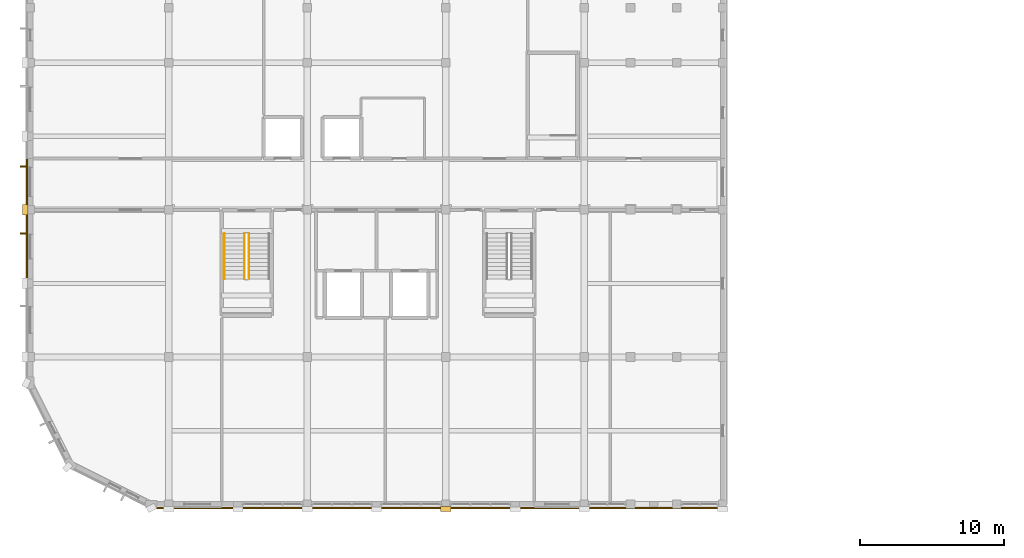
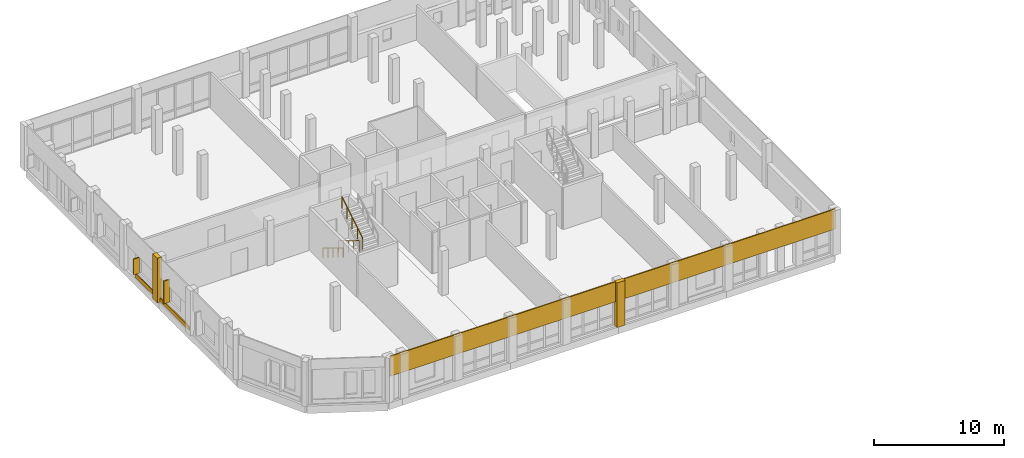
# One storey, part 87 of 93: 5 coverings, 3 railings, 2 shading devices.
"""IFC4 building model written with IfcOpenShell, lengths in metres."""

from ifc_helpers import new_model, si_unit, direction, frame, origin, origin_2d, place, context, subcontext, project, spatial, rectangle, circle, extrude, material, layer, layer_set, type_object, element, save


model = new_model("IFC4")

# Units and contexts
model_context = context("Model", 3, precision=1e-05, world=origin(), true_north=direction((0.0, 1.0)))
body_context = subcontext(model_context, "Body", "Model", "MODEL_VIEW")
ifc_project = project(units=[si_unit("LENGTHUNIT", "METRE"), si_unit("AREAUNIT", "SQUARE_METRE"), si_unit("VOLUMEUNIT", "CUBIC_METRE"), si_unit("PLANEANGLEUNIT", "RADIAN"), si_unit("MASSUNIT", "GRAM", prefix="KILO")], contexts=[model_context])

# Site, building, storey
site_placement = place(None, origin())
site = spatial("IfcSite", under=ifc_project, at=site_placement, CompositionType="ELEMENT")
building_placement = place(site_placement, origin())
building = spatial("IfcBuilding", under=site, at=building_placement, Name="Vondelvale Polytechnic", CompositionType="ELEMENT")
storey_placement = place(building_placement, frame((0.0, 0.0, 18.0)))
storey = spatial("IfcBuildingStorey", under=building, at=storey_placement, Name="L04", CompositionType="ELEMENT", Elevation=18.0)

# Coverings
ifc_material_1 = material(Name="Amsterdam School iron-spot clinker clay brickwork", Category="masonry")
ifc_layer_1 = layer(ifc_material_1, 0.090087890625)
ifc_layer_set_1 = layer_set([ifc_layer_1], Name="COV-BRICK-RELIEF")
covering_type = type_object("IfcCoveringType", Name="COV-BRICK-RELIEF", PredefinedType="CLADDING", material=ifc_layer_set_1)
covering_1_placement = place(storey_placement, frame((28.199951171875, -0.264892578125, 2.320068359375), z_axis=(0.0, 0.0, 1.0), x_axis=(1.0, 0.0, 0.0)))
element("IfcCovering", 1, at=covering_1_placement, inside=storey, type_object=covering_type, Name="L04 exterior masonry spandrel band", PredefinedType="CLADDING", context=body_context, shape_type="SweptSolid", body=[
    extrude(rectangle(XDim=39.60009765625, YDim=0.090087890625, at=origin_2d()), origin(), (0.0, 0.0, 1.0), 1.8798828125),
])
covering_2_placement = place(storey_placement, frame((-0.216064453125, 17.85009765625, 0.0), z_axis=(0.0, 0.0, 1.0), x_axis=(0.0, 1.0, 0.0)))
element("IfcCovering", 2, at=covering_2_placement, inside=storey, type_object=covering_type, Name="L04 exterior corbelled masonry relief band", PredefinedType="CLADDING", context=body_context, shape_type="SweptSolid", body=[
    extrude(rectangle(XDim=4.43798828125, YDim=0.090087890625, at=origin_2d()), origin(), (0.0, 0.0, 1.0), 0.3798828125),
])
covering_3_placement = place(storey_placement, frame((-0.216064453125, 22.325439453125, 0.0), z_axis=(0.0, 0.0, 1.0), x_axis=(0.0, 1.0, 0.0)))
element("IfcCovering", 3, at=covering_3_placement, inside=storey, type_object=covering_type, Name="L04 exterior corbelled masonry relief band", PredefinedType="CLADDING", context=body_context, shape_type="SweptSolid", body=[
    extrude(rectangle(XDim=3.18896484375, YDim=0.090087890625, at=origin_2d()), origin(), (0.0, 0.0, 1.0), 0.3798828125),
])
covering_4_placement = place(storey_placement, frame((28.800048828125, -0.340087890625, 0.0), z_axis=(0.0, 0.0, 1.0), x_axis=(1.0, 0.0, 0.0)))
element("IfcCovering", 4, at=covering_4_placement, inside=storey, type_object=covering_type, Name="L04 Classical street pilaster", PredefinedType="CLADDING", context=body_context, shape_type="SweptSolid", body=[
    extrude(rectangle(XDim=0.719970703125, YDim=0.360107421875, at=origin_2d()), origin(), (0.0, 0.0, 1.0), 4.199951171875),
])
covering_5_placement = place(storey_placement, frame((-0.340087890625, 20.39990234375, 0.0), z_axis=(0.0, 0.0, 1.0), x_axis=(1.0, 0.0, 0.0)))
element("IfcCovering", 5, at=covering_5_placement, inside=storey, type_object=covering_type, Name="L04 Classical street pilaster", PredefinedType="CLADDING", context=body_context, shape_type="SweptSolid", body=[
    extrude(rectangle(XDim=0.360107421875, YDim=0.719970703125, at=origin_2d()), origin(), (0.0, 0.0, 1.0), 4.199951171875),
])

# Railings
ifc_material_2 = material(Name="Brushed architectural stainless and zinc-coated metal")
ifc_layer_2 = layer(ifc_material_2, 0.050048828125)
ifc_layer_set_2 = layer_set([ifc_layer_2], Name="RL-STAIR-GUARD")
railing_type_1 = type_object("IfcRailingType", Name="RL-STAIR-GUARD", PredefinedType="GUARDRAIL", material=ifc_layer_set_2)
railing_1_placement = place(storey_placement, frame((14.85009765625, 18.75, 0.175048828125)))
element("IfcRailing", 6, at=railing_1_placement, inside=storey, type_object=railing_type_1, Name="L04 ST-03 stair guard 1", PredefinedType="GUARDRAIL", context=body_context, shape_type="SweptSolid", body=[
    extrude(circle(Radius=0.02392578125, at=origin_2d()), frame((0.0, 0.0, 1.076171875), z_axis=(0.0, -0.852166034122, 0.523271488128), x_axis=(1.0, 0.0, 0.0)), (0.0, 0.0, 1.0), 3.678955078125),
    extrude(circle(Radius=0.02099609375, at=origin_2d()), origin(), (0.0, 0.0, 1.0), 1.052001953125),
    extrude(circle(Radius=0.02099609375, at=origin_2d()), frame((0.0, -0.78369140625, 0.481201171875)), (0.0, 0.0, 1.0), 1.052001953125),
    extrude(circle(Radius=0.02099609375, at=origin_2d()), frame((0.0, -1.5673828125, 0.96240234375)), (0.0, 0.0, 1.0), 1.052001953125),
    extrude(circle(Radius=0.02099609375, at=origin_2d()), frame((0.0, -2.351318359375, 1.44384765625)), (0.0, 0.0, 1.0), 1.052001953125),
    extrude(circle(Radius=0.02099609375, at=origin_2d()), frame((0.0, -3.135009765625, 1.925048828125)), (0.0, 0.0, 1.0), 1.052001953125),
])
railing_2_placement = place(storey_placement, frame((15.14990234375, 15.614990234375, 2.27490234375)))
element("IfcRailing", 7, at=railing_2_placement, inside=storey, type_object=railing_type_1, Name="L04 ST-03 stair guard 3", PredefinedType="GUARDRAIL", context=body_context, shape_type="SweptSolid", body=[
    extrude(circle(Radius=0.02392578125, at=origin_2d()), frame((0.0, 0.0, 1.076171875), z_axis=(0.0, 0.852166034122, 0.523271488128), x_axis=(-1.0, 0.0, 0.0)), (0.0, 0.0, 1.0), 3.678955078125),
    extrude(circle(Radius=0.02099609375, at=origin_2d()), origin(), (0.0, 0.0, 1.0), 1.052001953125),
    extrude(circle(Radius=0.02099609375, at=origin_2d()), frame((0.0, 0.78369140625, 0.481201171875)), (0.0, 0.0, 1.0), 1.052001953125),
    extrude(circle(Radius=0.02099609375, at=origin_2d()), frame((0.0, 1.5673828125, 0.96240234375)), (0.0, 0.0, 1.0), 1.052001953125),
    extrude(circle(Radius=0.02099609375, at=origin_2d()), frame((0.0, 2.351318359375, 1.44384765625)), (0.0, 0.0, 1.0), 1.052001953125),
    extrude(circle(Radius=0.02099609375, at=origin_2d()), frame((0.0, 3.135009765625, 1.925048828125)), (0.0, 0.0, 1.0), 1.052001953125),
])
ifc_layer_3 = layer(ifc_material_2, 0.048095703125)
ifc_layer_set_3 = layer_set([ifc_layer_3], Name="RL-STAIR-HANDRAIL")
railing_type_2 = type_object("IfcRailingType", Name="RL-STAIR-HANDRAIL", PredefinedType="HANDRAIL", material=ifc_layer_set_3)
railing_3_placement = place(storey_placement, frame((13.449951171875, 18.75, 0.175048828125)))
element("IfcRailing", 8, at=railing_3_placement, inside=storey, type_object=railing_type_2, Name="L04 ST-03 stair handrail 1", PredefinedType="HANDRAIL", context=body_context, shape_type="SweptSolid", body=[
    extrude(circle(Radius=0.02392578125, at=origin_2d()), frame((0.0, 0.0, 0.8759765625), z_axis=(0.0, -0.852166034122, 0.523271488128), x_axis=(1.0, 0.0, 0.0)), (0.0, 0.0, 1.0), 3.678955078125),
    extrude(circle(Radius=0.02099609375, at=origin_2d()), origin(), (0.0, 0.0, 1.0), 0.851806640625),
    extrude(circle(Radius=0.02099609375, at=origin_2d()), frame((0.0, -0.78369140625, 0.481201171875)), (0.0, 0.0, 1.0), 0.851806640625),
    extrude(circle(Radius=0.02099609375, at=origin_2d()), frame((0.0, -1.5673828125, 0.96240234375)), (0.0, 0.0, 1.0), 0.851806640625),
    extrude(circle(Radius=0.02099609375, at=origin_2d()), frame((0.0, -2.351318359375, 1.44384765625)), (0.0, 0.0, 1.0), 0.851806640625),
    extrude(circle(Radius=0.02099609375, at=origin_2d()), frame((0.0, -3.135009765625, 1.925048828125)), (0.0, 0.0, 1.0), 0.851806640625),
])

# Shading devices
ifc_material_3 = material(Name="Kiln-fired architectural terracotta", Category="masonry")
shading_device_type = type_object("IfcShadingDeviceType", Name="SHD-TERRA-FIN-550", PredefinedType="JALOUSIE", material=ifc_material_3)
shading_device_1_placement = place(storey_placement, frame((-0.43505859375, 18.764892578125, 0.7900390625), z_axis=(0.0, 0.0, 1.0), x_axis=(0.0, 1.0, 0.0)))
element("IfcShadingDevice", 9, at=shading_device_1_placement, inside=storey, type_object=shading_device_type, Name="L04 vertical terracotta solar fin", PredefinedType="JALOUSIE", context=body_context, shape_type="SweptSolid", body=[
    extrude(rectangle(XDim=0.110107421875, YDim=0.550048828125, at=origin_2d()), origin(), (0.0, 0.0, 1.0), 2.1201171875),
])
shading_device_2_placement = place(storey_placement, frame((-0.43505859375, 23.41552734375, 0.68994140625), z_axis=(0.0, 0.0, 1.0), x_axis=(0.0, 1.0, 0.0)))
element("IfcShadingDevice", 10, at=shading_device_2_placement, inside=storey, type_object=shading_device_type, Name="L04 vertical terracotta solar fin", PredefinedType="JALOUSIE", context=body_context, shape_type="SweptSolid", body=[
    extrude(rectangle(XDim=0.110107421875, YDim=0.550048828125, at=origin_2d()), origin(), (0.0, 0.0, 1.0), 1.469970703125),
])

save(model, "model.ifc")
